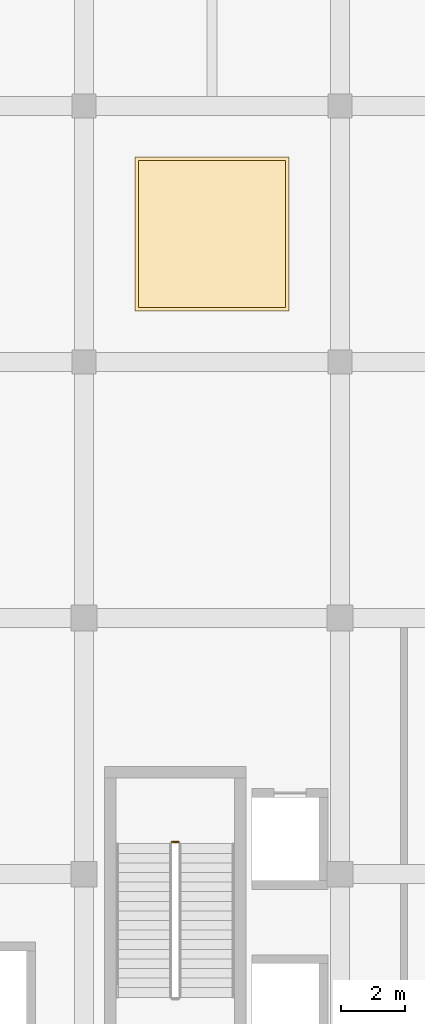
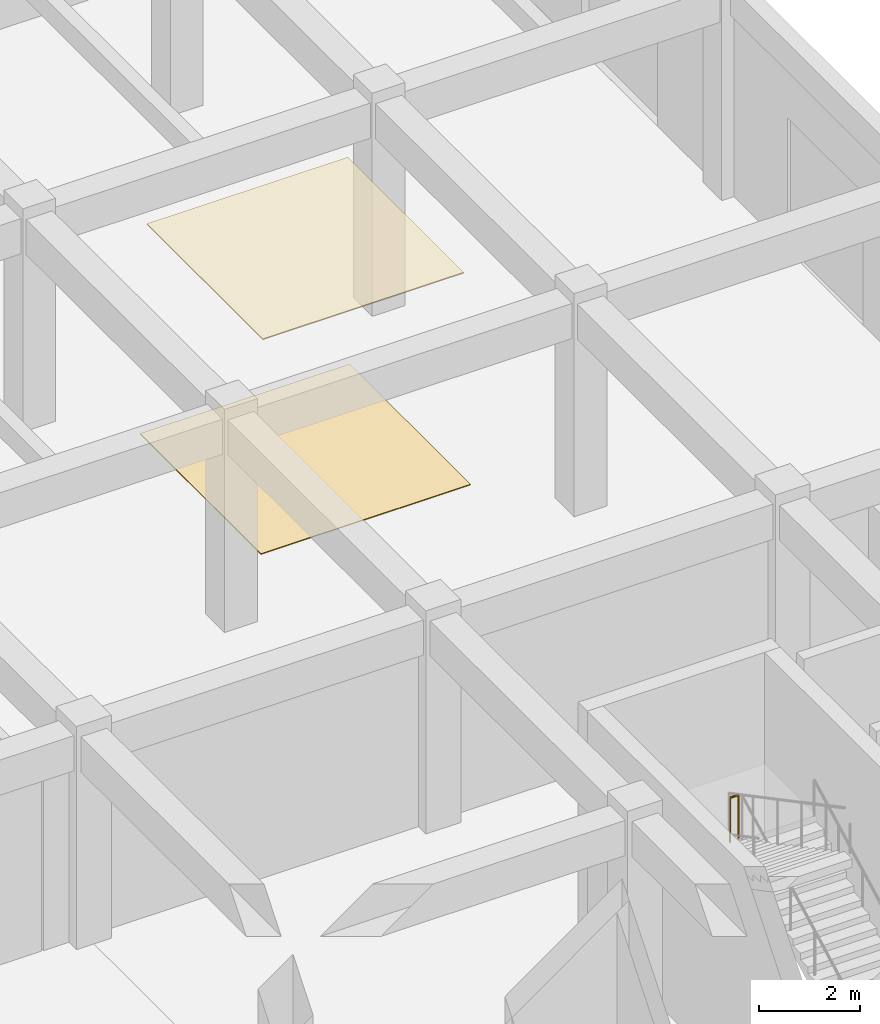
# One storey, part 84 of 86: 2 coverings, 1 railing.
"""IFC4 building model written with IfcOpenShell, lengths in metres."""

from ifc_helpers import new_model, si_unit, direction, frame, origin, origin_2d, place, context, subcontext, project, spatial, rectangle, circle, extrude, material, layer, layer_set, type_object, element, save


model = new_model("IFC4")

# Units and contexts
model_context = context("Model", 3, precision=1e-05, world=origin(), true_north=direction((0.0, 1.0)))
body_context = subcontext(model_context, "Body", "Model", "MODEL_VIEW")
ifc_project = project(units=[si_unit("LENGTHUNIT", "METRE"), si_unit("AREAUNIT", "SQUARE_METRE"), si_unit("VOLUMEUNIT", "CUBIC_METRE"), si_unit("PLANEANGLEUNIT", "RADIAN"), si_unit("MASSUNIT", "GRAM", prefix="KILO")], contexts=[model_context])

# Site, building, storey
site_placement = place(None, origin())
site = spatial("IfcSite", under=ifc_project, at=site_placement, CompositionType="ELEMENT")
building_placement = place(site_placement, origin())
building = spatial("IfcBuilding", under=site, at=building_placement, Name="Kenh Van Central Station", CompositionType="ELEMENT")
storey_placement = place(building_placement, origin())
storey = spatial("IfcBuildingStorey", under=building, at=storey_placement, Name="L00", CompositionType="ELEMENT", Elevation=0.0)

# Coverings
ifc_material_1 = material(Name="Perforated acoustic mineral ceiling board")
ifc_layer_1 = layer(ifc_material_1, 0.02490234375, Name="Perforated acoustic mineral ceiling board")
ifc_layer_set_1 = layer_set([ifc_layer_1], Name="Perforated acoustic mineral ceiling board")
covering_type_1 = type_object("IfcCoveringType", Name="COV-CEIL-ACOUST", PredefinedType="CEILING", material=ifc_layer_set_1)
covering_1_placement = place(storey_placement, frame((164.0, 76.0, 5.09716796875), z_axis=(0.0, 0.0, 1.0), x_axis=(1.0, 0.0, 0.0)))
element("IfcCovering", 1, at=covering_1_placement, inside=storey, type_object=covering_type_1, Name="L00 acoustic ceiling panel 030", PredefinedType="CEILING", context=body_context, shape_type="SweptSolid", body=[
    extrude(rectangle(XDim=4.60009765625, YDim=4.60009765625, at=origin_2d()), origin(), (0.0, 0.0, 1.0), 0.02490234375),
])
ifc_material_2 = material(Name="Polished station granite terrazzo", Category="masonry")
ifc_layer_2 = layer(ifc_material_2, 0.02001953125, Name="Polished station granite terrazzo")
ifc_layer_set_2 = layer_set([ifc_layer_2], Name="Polished station granite terrazzo")
covering_type_2 = type_object("IfcCoveringType", Name="COV-FLR-GRANITE", PredefinedType="FLOORING", material=ifc_layer_set_2)
covering_2_placement = place(storey_placement, frame((164.0, 76.0, 0.0), z_axis=(0.0, 0.0, 1.0), x_axis=(1.0, 0.0, 0.0)))
element("IfcCovering", 2, at=covering_2_placement, inside=storey, type_object=covering_type_2, Name="L00 granite floor finish 038", PredefinedType="FLOORING", context=body_context, shape_type="SweptSolid", body=[
    extrude(rectangle(XDim=4.800048828125, YDim=4.800048828125, at=origin_2d()), origin(), (0.0, 0.0, 1.0), 0.02001953125),
])

# Railing
ifc_material_3 = material(Name="Champagne anodised aluminium", Category="aluminium")
railing_type = type_object("IfcRailingType", Name="RAIL-CORE-GRD110", PredefinedType="GUARDRAIL", material=ifc_material_3)
railing_placement = place(storey_placement, frame((162.949951171875, 57.0, 2.699951171875)))
element("IfcRailing", 3, at=railing_placement, inside=storey, type_object=railing_type, Name="L00 ST-10 stair guard 2", PredefinedType="GUARDRAIL", context=body_context, shape_type="SweptSolid", body=[
    extrude(circle(Radius=0.02392578125, at=origin_2d()), frame((0.0, 0.0, 1.076171875), z_axis=(-1.0, 0.0, 0.0), x_axis=(0.0, -1.0, 0.0)), (0.0, 0.0, 1.0), 0.199951171875),
    extrude(circle(Radius=0.02099609375, at=origin_2d()), origin(), (0.0, 0.0, 1.0), 1.052001953125),
    extrude(circle(Radius=0.02099609375, at=origin_2d()), frame((-0.199951171875, 0.0, 0.0)), (0.0, 0.0, 1.0), 1.052001953125),
])

save(model, "model.ifc")
